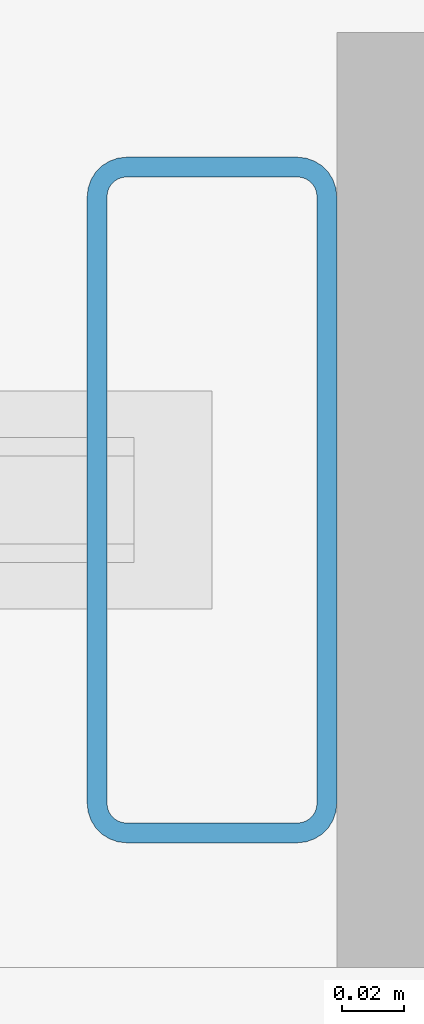
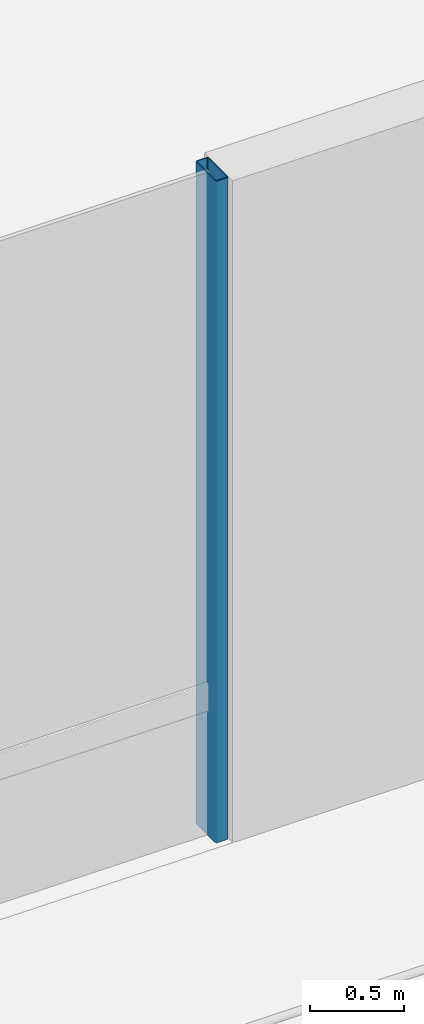
# One storey, part 12 of 45: 1 member, 1 element without a shape of its own.
"""IFC4 building model written with IfcOpenShell, lengths in metres."""

import ifcopenshell
import ifcopenshell.guid

model = None  # the IFC model being written
_history = None  # IfcOwnerHistory: only IFC2X3 demands one
_inside = {}  # id of a spatial element -> (the spatial element, [elements in it])
_under = {}  # id of a project, library or spatial element -> (it, [spatial elements below it])
_declared = {}  # id of a project -> (the project, [libraries it declares])
_typed = {}  # id of a type object -> (the type object, [elements of that type])
_made_of = {}  # id of a material, layer set ... -> (it, [elements and type objects made of it])


def new_model(schema):
    """Start an empty IFC model of exactly this schema.

    Asked for "IFC4X3", IfcOpenShell would pick the latest addendum, in which some entities
    have other attributes; the version numbers below select the first issue.
    IFC2X3 requires an IfcOwnerHistory on every rooted entity: one is made here for all.
    """
    global model, _history
    if schema == "IFC4X3":
        model = ifcopenshell.file(schema_version=(4, 3, 0, 0))
    else:
        model = ifcopenshell.file(schema=schema)
    _inside.clear()
    _under.clear()
    _declared.clear()
    _typed.clear()
    _made_of.clear()
    _history = None
    if model.schema == "IFC2X3":
        org = make("IfcOrganization", Name="unknown")
        user = make(
            "IfcPersonAndOrganization",
            ThePerson=make("IfcPerson", FamilyName="unknown"),
            TheOrganization=org,
        )
        app = make(
            "IfcApplication",
            ApplicationDeveloper=org,
            Version="unknown",
            ApplicationFullName="unknown",
            ApplicationIdentifier="unknown",
        )
        _history = make(
            "IfcOwnerHistory",
            OwningUser=user,
            OwningApplication=app,
            ChangeAction="ADDED",
            CreationDate=0,
        )
    return model


def make(cls, **values):
    """One entity of the class cls with the attributes given. An attribute that is None is left unset."""
    return model.create_entity(
        cls, **{name: value for name, value in values.items() if value is not None}
    )


def rooted(cls, **values):
    """An entity with a GlobalId (a new one), such as an element, a storey or a relation."""
    return make(cls, GlobalId=ifcopenshell.guid.new(), OwnerHistory=_history, **values)


def si_unit(unit_type, name, prefix=None):
    """IfcSIUnit, for example si_unit("LENGTHUNIT", "METRE", prefix="MILLI")."""
    return make("IfcSIUnit", UnitType=unit_type, Prefix=prefix, Name=name)


def assignment(units):
    """IfcUnitAssignment: the units of a project."""
    return None if units is None else make("IfcUnitAssignment", Units=units)


def point(xyz):
    """IfcCartesianPoint."""
    return None if xyz is None else make("IfcCartesianPoint", Coordinates=xyz)


def direction(xyz):
    """IfcDirection."""
    return None if xyz is None else make("IfcDirection", DirectionRatios=xyz)


def frame(location, z_axis=None, x_axis=None):
    """IfcAxis2Placement3D, a coordinate frame: its origin and axes. An axis left out is left unset."""
    return make(
        "IfcAxis2Placement3D",
        Location=point(location),
        Axis=direction(z_axis),
        RefDirection=direction(x_axis),
    )


def frame_2d(location, x_axis=None):
    """IfcAxis2Placement2D, a coordinate frame in the plane: its origin and x axis."""
    return make(
        "IfcAxis2Placement2D", Location=point(location), RefDirection=direction(x_axis)
    )


def origin():
    """The frame at (0, 0, 0) with its axes left unset."""
    return frame((0.0, 0.0, 0.0))


def origin_2d():
    """The frame at (0, 0) in the plane with its x axis left unset."""
    return frame_2d((0.0, 0.0))


def place(relative_to, where):
    """IfcLocalPlacement: puts the frame where relative to a parent placement (None: the world)."""
    return make(
        "IfcLocalPlacement", PlacementRelTo=relative_to, RelativePlacement=where
    )


def context(
    kind, dimensions, precision=None, world=None, true_north=None, identifier=None
):
    """IfcGeometricRepresentationContext, for example the 3D "Model" context."""
    return make(
        "IfcGeometricRepresentationContext",
        ContextIdentifier=identifier,
        ContextType=kind,
        CoordinateSpaceDimension=dimensions,
        Precision=precision,
        WorldCoordinateSystem=world,
        TrueNorth=true_north,
    )


def subcontext(parent, identifier, kind, view, scale=None):
    """IfcGeometricRepresentationSubContext, for example "Body" below "Model"."""
    return make(
        "IfcGeometricRepresentationSubContext",
        ContextIdentifier=identifier,
        ContextType=kind,
        ParentContext=parent,
        TargetScale=scale,
        TargetView=view,
    )


def project(units=None, contexts=None):
    """IfcProject with its units and contexts."""
    return rooted(
        "IfcProject",
        Name="project",
        RepresentationContexts=contexts,
        UnitsInContext=assignment(units),
    )


def spatial(cls, under=None, at=None, **own):
    """A site, building, storey or space (cls), placed at a placement, below another one or the project."""
    s = rooted(cls, ObjectPlacement=at, **own)
    if under is not None:
        _under.setdefault(under.id(), (under, []))[1].append(s)
    return s


def profile(cls, at=None, kind="AREA", **sizes):
    """A parametric profile (cls). Its sizes go by their IFC names, for example OverallWidth=200.0."""
    return make(cls, ProfileType=kind, Position=at, **sizes)


def hollow_rectangle(**sizes):
    """IfcRectangleHollowProfileDef."""
    return profile("IfcRectangleHollowProfileDef", **sizes)


def extrude(swept, where, along, depth):
    """IfcExtrudedAreaSolid: the profile swept, set in the frame where, extruded along a direction by depth."""
    return make(
        "IfcExtrudedAreaSolid",
        SweptArea=swept,
        Position=where,
        ExtrudedDirection=direction(along),
        Depth=depth,
    )


def shape(context_of_items, identifier, shape_type, items):
    """IfcShapeRepresentation: the items that make up one representation, for example the "Body"."""
    return make(
        "IfcShapeRepresentation",
        ContextOfItems=context_of_items,
        RepresentationIdentifier=identifier,
        RepresentationType=shape_type,
        Items=items,
    )


def material(Name=None, Category=None):
    """IfcMaterial."""
    return make("IfcMaterial", Name=Name, Category=Category)


def layer(
    of_material, thickness, ventilated=None, Name=None, Category=None, Priority=None
):
    """IfcMaterialLayer: one layer of a wall or slab, of a material (None: an air gap)."""
    return make(
        "IfcMaterialLayer",
        Material=of_material,
        LayerThickness=thickness,
        IsVentilated=ventilated,
        Name=Name,
        Category=Category,
        Priority=Priority,
    )


def layer_set(layers, Name=None):
    """IfcMaterialLayerSet."""
    return make("IfcMaterialLayerSet", MaterialLayers=layers, LayerSetName=Name)


def material_profile(
    of_material, cross_section, Name=None, Category=None, Priority=None
):
    """IfcMaterialProfile: a cross section and its material."""
    return make(
        "IfcMaterialProfile",
        Name=Name,
        Material=of_material,
        Profile=cross_section,
        Priority=Priority,
        Category=Category,
    )


def profile_set(profiles, Name=None, composite=None):
    """IfcMaterialProfileSet."""
    return make(
        "IfcMaterialProfileSet",
        Name=Name,
        MaterialProfiles=profiles,
        CompositeProfile=composite,
    )


def made_of(thing, what):
    """Note that an element or type object is made of a material, layer set ...; save() writes the relation."""
    if what is not None:
        _made_of.setdefault(what.id(), (what, []))[1].append(thing)
    return thing


def type_object(cls, material=None, **own):
    """A type object (cls), such as IfcWallType, which elements share."""
    return made_of(rooted(cls, **own), material)


def element(
    cls,
    number,
    at=None,
    inside=None,
    cuts=None,
    type_object=None,
    material=None,
    context=None,
    identifier="Body",
    shape_type=None,
    held_by="IfcProductDefinitionShape",
    body=None,
    shapes=None,
    **own,
):
    """One element of the class cls, such as IfcWall. Its Tag is "e" and its number.

    at: its placement. inside: the storey or other place that contains it. cuts: it is an
    opening in that element (IfcRelVoidsElement). A single representation is given by context,
    identifier, shape_type and body (its items); several are given by shapes. held_by: the class
    of the entity that holds the representations. save() writes the other relations.
    """
    e = rooted(cls, Tag="e%d" % number, ObjectPlacement=at, **own)
    if body is not None:
        shapes = [shape(context, identifier, shape_type, body)]
    if shapes is not None:
        e.Representation = make(held_by, Representations=shapes)
    if inside is not None:
        _inside.setdefault(inside.id(), (inside, []))[1].append(e)
    if cuts is not None:
        rooted(
            "IfcRelVoidsElement", RelatingBuildingElement=cuts, RelatedOpeningElement=e
        )
    if type_object is not None:
        _typed.setdefault(type_object.id(), (type_object, []))[1].append(e)
    return made_of(e, material)


def aggregate(whole, parts):
    """IfcRelAggregates: a whole, such as a stair, and the parts it consists of."""
    return rooted("IfcRelAggregates", RelatingObject=whole, RelatedObjects=parts)


def save(model, path):
    """Write the relations noted so far, then the file.

    IfcRelAggregates (storeys below a building ...), IfcRelContainedInSpatialStructure (elements
    in a storey), IfcRelDefinesByType, IfcRelAssociatesMaterial and IfcRelDeclares: one each for
    every whole, place, type object, material and project.
    """
    for whole, parts in _under.values():
        aggregate(whole, parts)
    for where, things in _inside.values():
        rooted(
            "IfcRelContainedInSpatialStructure",
            RelatedElements=things,
            RelatingStructure=where,
        )
    for kind, things in _typed.values():
        rooted("IfcRelDefinesByType", RelatedObjects=things, RelatingType=kind)
    for what, things in _made_of.values():
        rooted("IfcRelAssociatesMaterial", RelatedObjects=things, RelatingMaterial=what)
    for by, libraries in _declared.values():
        rooted("IfcRelDeclares", RelatingContext=by, RelatedDefinitions=libraries)
    model.write(path)


model = new_model("IFC4")

# Units and contexts
model_context = context("Model", 3, precision=1e-05, world=origin(), true_north=direction((0.0, 1.0)))
body_context = subcontext(model_context, "Body", "Model", "MODEL_VIEW")
ifc_project = project(units=[si_unit("LENGTHUNIT", "METRE"), si_unit("AREAUNIT", "SQUARE_METRE"), si_unit("VOLUMEUNIT", "CUBIC_METRE"), si_unit("PLANEANGLEUNIT", "RADIAN"), si_unit("MASSUNIT", "GRAM", prefix="KILO")], contexts=[model_context])

# Site, building, storey
site_placement = place(None, origin())
site = spatial("IfcSite", under=ifc_project, at=site_placement, CompositionType="ELEMENT")
building_placement = place(site_placement, origin())
building = spatial("IfcBuilding", under=site, at=building_placement, Name="Korimba Cascade Residences", CompositionType="ELEMENT")
storey_placement = place(building_placement, frame((0.0, 0.0, 5.39990234375)))
storey = spatial("IfcBuildingStorey", under=building, at=storey_placement, Name="L01", CompositionType="ELEMENT", Elevation=5.39990234375)

# Curtain wall, member
ifc_material_1 = material(Name="Anodised Aluminium Curtain Wall Framing", Category="aluminium")
ifc_layer = layer(ifc_material_1, 0.179931640625)
ifc_layer_set = layer_set([ifc_layer], Name="Anodised Aluminium Curtain Wall Framing")
curtain_wall_type = type_object("IfcCurtainWallType", Name="CW-POD-SYS1", PredefinedType="NOTDEFINED", material=ifc_layer_set)
curtain_wall_placement = place(storey_placement, origin())
curtain_wall = element("IfcCurtainWall", 1, at=curtain_wall_placement, inside=storey, type_object=curtain_wall_type, Name="L01 Curtain Wall CW-L01-POD-S", PredefinedType="NOTDEFINED")
ifc_material_2 = material(Name="Anodised Aluminium Mullion", Category="aluminium")
ifc_material_profile = material_profile(ifc_material_2, hollow_rectangle(XDim=0.080078125, YDim=0.219970703125, WallThickness=0.00634765625, InnerFilletRadius=0.00634765625, OuterFilletRadius=0.0126953125, at=origin_2d()), Name="Anodised Aluminium Mullion")
ifc_profile_set = profile_set([ifc_material_profile], Name="Anodised Aluminium Mullion")
member_type = type_object("IfcMemberType", Name="CWM-MUL-220", PredefinedType="MULLION", material=ifc_profile_set)
member_placement = place(storey_placement, frame((109.9599609375, -23.35009765625, 0.0), z_axis=(0.0, 0.0, 1.0), x_axis=(1.0, 0.0, 0.0)))
member = element("IfcMember", 2, at=member_placement, type_object=member_type, Name="CW-L01-POD-S Mullion 5", PredefinedType="MULLION", context=body_context, shape_type="SweptSolid", body=[
    extrude(hollow_rectangle(XDim=0.080078125, YDim=0.219970703125, WallThickness=0.00634765625, InnerFilletRadius=0.00634765625, OuterFilletRadius=0.0126953125, at=origin_2d()), origin(), (0.0, 0.0, 1.0), 4.300048828125),
])
aggregate(curtain_wall, [member])

save(model, "model.ifc")
